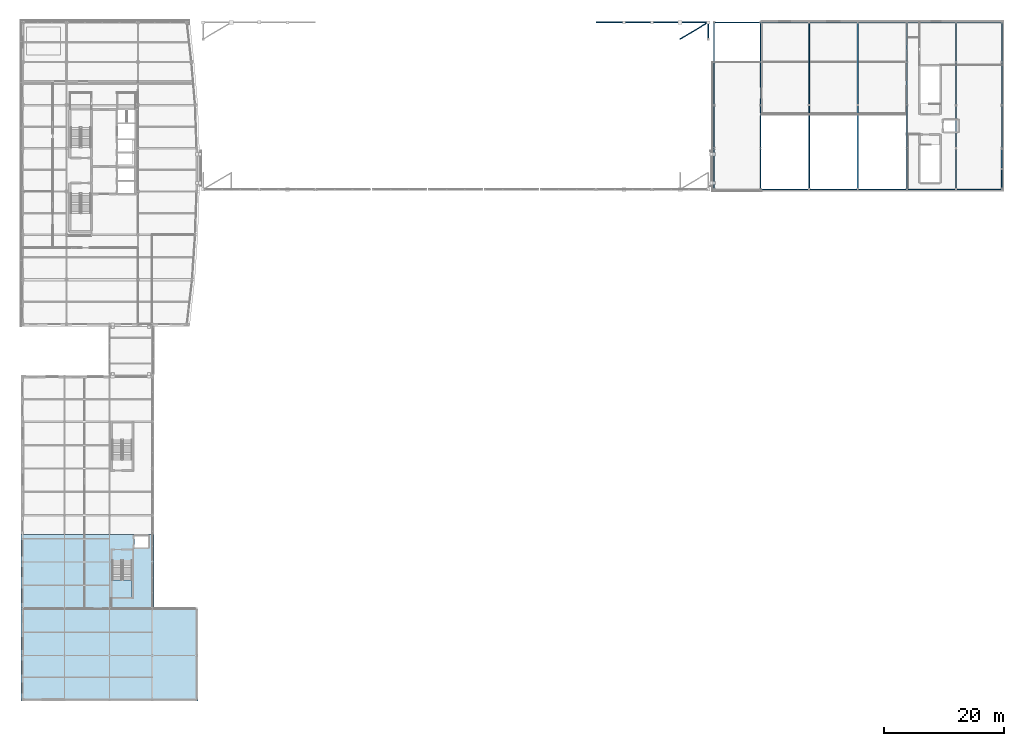
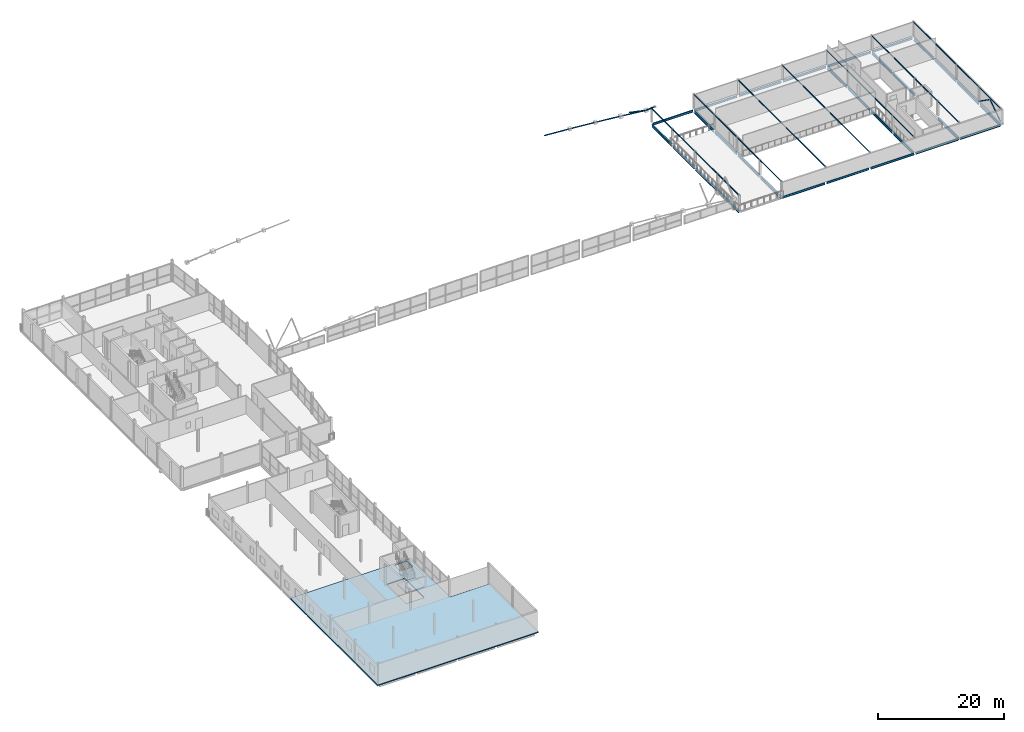
# One storey, part 41 of 60: 31 beams, 21 members, 2 slabs, 1 element without a shape of its own.
"""IFC4 building model written with IfcOpenShell, lengths in metres."""

from ifc_helpers import new_model, si_unit, direction, frame, origin, origin_2d, place, context, subcontext, project, spatial, polyline, hollow_rectangle, hollow_circle, i_section, outline, extrude, material, layer, layer_set, material_profile, profile_set, type_object, element, aggregate, save


model = new_model("IFC4")

# Units and contexts
model_context = context("Model", 3, precision=1e-05, world=origin(), true_north=direction((0.0, 1.0)))
body_context = subcontext(model_context, "Body", "Model", "MODEL_VIEW")
ifc_project = project(units=[si_unit("LENGTHUNIT", "METRE"), si_unit("AREAUNIT", "SQUARE_METRE"), si_unit("VOLUMEUNIT", "CUBIC_METRE"), si_unit("PLANEANGLEUNIT", "RADIAN"), si_unit("MASSUNIT", "GRAM", prefix="KILO")], contexts=[model_context])

# Site, building, storey
site_placement = place(None, origin())
site = spatial("IfcSite", under=ifc_project, at=site_placement, CompositionType="ELEMENT")
building_placement = place(site_placement, origin())
building = spatial("IfcBuilding", under=site, at=building_placement, Name="Quillay Park Conservatory", CompositionType="ELEMENT")
storey_placement = place(building_placement, frame((0.0, 0.0, 9.89990234375)))
storey = spatial("IfcBuildingStorey", under=building, at=storey_placement, Name="L02", CompositionType="ELEMENT", Elevation=9.89990234375)

# Members
ifc_material_1 = material(Name="Steel S355J2H", Category="steel")
ifc_material_profile_1 = material_profile(ifc_material_1, hollow_rectangle(XDim=0.1201171875, YDim=0.199951171875, WallThickness=0.008056640625, InnerFilletRadius=0.008056640625, OuterFilletRadius=0.01611328125, at=origin_2d()), Name="RHS200x120x8")
ifc_profile_set_1 = profile_set([ifc_material_profile_1], Name="Steel S355J2H")
member_type_1 = type_object("IfcMemberType", Name="FOLDED ROOF TRUSS CHORD RHS200", PredefinedType="CHORD", material=ifc_profile_set_1)
member_1_placement = place(storey_placement, frame((115.85009765625, 85.550048828125, 2.7001953125), z_axis=(0.0, 1.0, 0.0), x_axis=(-1.0, 0.0, 0.0)))
element("IfcMember", 1, at=member_1_placement, inside=storey, type_object=member_type_1, Name="Gridshell member AUD-CHD-S1", PredefinedType="CHORD", context=body_context, shape_type="SweptSolid", body=[
    extrude(hollow_rectangle(XDim=0.1201171875, YDim=0.199951171875, WallThickness=0.008056640625, InnerFilletRadius=0.008056640625, OuterFilletRadius=0.01611328125, at=origin_2d()), origin(), (0.0, 0.0, 1.0), 14.050048828125),
])
member_2_placement = place(storey_placement, frame((115.85009765625, 99.60009765625, 2.7001953125), z_axis=(0.0, 1.0, 0.0), x_axis=(-1.0, 0.0, 0.0)))
element("IfcMember", 2, at=member_2_placement, inside=storey, type_object=member_type_1, Name="Gridshell member AUD-CHD-N1", PredefinedType="CHORD", context=body_context, shape_type="SweptSolid", body=[
    extrude(hollow_rectangle(XDim=0.1201171875, YDim=0.199951171875, WallThickness=0.008056640625, InnerFilletRadius=0.008056640625, OuterFilletRadius=0.01611328125, at=origin_2d()), origin(), (0.0, 0.0, 1.0), 13.7998046875),
])
member_3_placement = place(storey_placement, frame((123.60009765625, 85.550048828125, 2.7001953125), z_axis=(0.0, 1.0, 0.0), x_axis=(-1.0, 0.0, 0.0)))
element("IfcMember", 3, at=member_3_placement, inside=storey, type_object=member_type_1, Name="Gridshell member AUD-CHD-S2", PredefinedType="CHORD", context=body_context, shape_type="SweptSolid", body=[
    extrude(hollow_rectangle(XDim=0.1201171875, YDim=0.199951171875, WallThickness=0.008056640625, InnerFilletRadius=0.008056640625, OuterFilletRadius=0.01611328125, at=origin_2d()), origin(), (0.0, 0.0, 1.0), 14.050048828125),
])
member_4_placement = place(storey_placement, frame((123.60009765625, 99.60009765625, 2.7001953125), z_axis=(0.0, 1.0, 0.0), x_axis=(-1.0, 0.0, 0.0)))
element("IfcMember", 4, at=member_4_placement, inside=storey, type_object=member_type_1, Name="Gridshell member AUD-CHD-N2", PredefinedType="CHORD", context=body_context, shape_type="SweptSolid", body=[
    extrude(hollow_rectangle(XDim=0.1201171875, YDim=0.199951171875, WallThickness=0.008056640625, InnerFilletRadius=0.008056640625, OuterFilletRadius=0.01611328125, at=origin_2d()), origin(), (0.0, 0.0, 1.0), 13.7998046875),
])
member_5_placement = place(storey_placement, frame((131.699951171875, 85.550048828125, 2.7001953125), z_axis=(0.0, 1.0, 0.0), x_axis=(-1.0, 0.0, 0.0)))
element("IfcMember", 5, at=member_5_placement, inside=storey, type_object=member_type_1, Name="Gridshell member AUD-CHD-S3", PredefinedType="CHORD", context=body_context, shape_type="SweptSolid", body=[
    extrude(hollow_rectangle(XDim=0.1201171875, YDim=0.199951171875, WallThickness=0.008056640625, InnerFilletRadius=0.008056640625, OuterFilletRadius=0.01611328125, at=origin_2d()), origin(), (0.0, 0.0, 1.0), 14.050048828125),
])
member_6_placement = place(storey_placement, frame((131.699951171875, 99.60009765625, 2.7001953125), z_axis=(0.0, 1.0, 0.0), x_axis=(-1.0, 0.0, 0.0)))
element("IfcMember", 6, at=member_6_placement, inside=storey, type_object=member_type_1, Name="Gridshell member AUD-CHD-N3", PredefinedType="CHORD", context=body_context, shape_type="SweptSolid", body=[
    extrude(hollow_rectangle(XDim=0.1201171875, YDim=0.199951171875, WallThickness=0.008056640625, InnerFilletRadius=0.008056640625, OuterFilletRadius=0.01611328125, at=origin_2d()), origin(), (0.0, 0.0, 1.0), 13.7998046875),
])
member_7_placement = place(storey_placement, frame((139.800048828125, 85.550048828125, 2.7001953125), z_axis=(0.0, 1.0, 0.0), x_axis=(-1.0, 0.0, 0.0)))
element("IfcMember", 7, at=member_7_placement, inside=storey, type_object=member_type_1, Name="Gridshell member AUD-CHD-S4", PredefinedType="CHORD", context=body_context, shape_type="SweptSolid", body=[
    extrude(hollow_rectangle(XDim=0.1201171875, YDim=0.199951171875, WallThickness=0.008056640625, InnerFilletRadius=0.008056640625, OuterFilletRadius=0.01611328125, at=origin_2d()), origin(), (0.0, 0.0, 1.0), 14.050048828125),
])
member_8_placement = place(storey_placement, frame((139.800048828125, 99.60009765625, 2.7001953125), z_axis=(0.0, 1.0, 0.0), x_axis=(-1.0, 0.0, 0.0)))
element("IfcMember", 8, at=member_8_placement, inside=storey, type_object=member_type_1, Name="Gridshell member AUD-CHD-N4", PredefinedType="CHORD", context=body_context, shape_type="SweptSolid", body=[
    extrude(hollow_rectangle(XDim=0.1201171875, YDim=0.199951171875, WallThickness=0.008056640625, InnerFilletRadius=0.008056640625, OuterFilletRadius=0.01611328125, at=origin_2d()), origin(), (0.0, 0.0, 1.0), 13.7998046875),
])
member_9_placement = place(storey_placement, frame((148.0, 85.550048828125, 2.7001953125), z_axis=(0.0, 1.0, 0.0), x_axis=(-1.0, 0.0, 0.0)))
element("IfcMember", 9, at=member_9_placement, inside=storey, type_object=member_type_1, Name="Gridshell member AUD-CHD-S5", PredefinedType="CHORD", context=body_context, shape_type="SweptSolid", body=[
    extrude(hollow_rectangle(XDim=0.1201171875, YDim=0.199951171875, WallThickness=0.008056640625, InnerFilletRadius=0.008056640625, OuterFilletRadius=0.01611328125, at=origin_2d()), origin(), (0.0, 0.0, 1.0), 14.050048828125),
])
member_10_placement = place(storey_placement, frame((148.0, 99.60009765625, 2.7001953125), z_axis=(0.0, 1.0, 0.0), x_axis=(-1.0, 0.0, 0.0)))
element("IfcMember", 10, at=member_10_placement, inside=storey, type_object=member_type_1, Name="Gridshell member AUD-CHD-N5", PredefinedType="CHORD", context=body_context, shape_type="SweptSolid", body=[
    extrude(hollow_rectangle(XDim=0.1201171875, YDim=0.199951171875, WallThickness=0.008056640625, InnerFilletRadius=0.008056640625, OuterFilletRadius=0.01611328125, at=origin_2d()), origin(), (0.0, 0.0, 1.0), 13.7998046875),
])
member_11_placement = place(storey_placement, frame((156.199951171875, 85.550048828125, 2.7001953125), z_axis=(0.0, 1.0, 0.0), x_axis=(-1.0, 0.0, 0.0)))
element("IfcMember", 11, at=member_11_placement, inside=storey, type_object=member_type_1, Name="Gridshell member AUD-CHD-S6", PredefinedType="CHORD", context=body_context, shape_type="SweptSolid", body=[
    extrude(hollow_rectangle(XDim=0.1201171875, YDim=0.199951171875, WallThickness=0.008056640625, InnerFilletRadius=0.008056640625, OuterFilletRadius=0.01611328125, at=origin_2d()), origin(), (0.0, 0.0, 1.0), 14.050048828125),
])
member_12_placement = place(storey_placement, frame((156.199951171875, 99.60009765625, 2.7001953125), z_axis=(0.0, 1.0, 0.0), x_axis=(-1.0, 0.0, 0.0)))
element("IfcMember", 12, at=member_12_placement, inside=storey, type_object=member_type_1, Name="Gridshell member AUD-CHD-N6", PredefinedType="CHORD", context=body_context, shape_type="SweptSolid", body=[
    extrude(hollow_rectangle(XDim=0.1201171875, YDim=0.199951171875, WallThickness=0.008056640625, InnerFilletRadius=0.008056640625, OuterFilletRadius=0.01611328125, at=origin_2d()), origin(), (0.0, 0.0, 1.0), 13.7998046875),
])
member_13_placement = place(storey_placement, frame((163.85009765625, 85.550048828125, 2.7001953125), z_axis=(0.0, 1.0, 0.0), x_axis=(-1.0, 0.0, 0.0)))
element("IfcMember", 13, at=member_13_placement, inside=storey, type_object=member_type_1, Name="Gridshell member AUD-CHD-S7", PredefinedType="CHORD", context=body_context, shape_type="SweptSolid", body=[
    extrude(hollow_rectangle(XDim=0.1201171875, YDim=0.199951171875, WallThickness=0.008056640625, InnerFilletRadius=0.008056640625, OuterFilletRadius=0.01611328125, at=origin_2d()), origin(), (0.0, 0.0, 1.0), 14.050048828125),
])
member_14_placement = place(storey_placement, frame((163.85009765625, 99.60009765625, 2.7001953125), z_axis=(0.0, 1.0, 0.0), x_axis=(-1.0, 0.0, 0.0)))
element("IfcMember", 14, at=member_14_placement, inside=storey, type_object=member_type_1, Name="Gridshell member AUD-CHD-N7", PredefinedType="CHORD", context=body_context, shape_type="SweptSolid", body=[
    extrude(hollow_rectangle(XDim=0.1201171875, YDim=0.199951171875, WallThickness=0.008056640625, InnerFilletRadius=0.008056640625, OuterFilletRadius=0.01611328125, at=origin_2d()), origin(), (0.0, 0.0, 1.0), 13.7998046875),
])

# Beam
ifc_material_2 = material(Name="Steel S355J2H", Category="steel")
ifc_material_profile_2 = material_profile(ifc_material_2, hollow_circle(Radius=0.136474609375, WallThickness=0.012451171875, at=origin_2d()), Name="CHS273x12.5")
ifc_profile_set_2 = profile_set([ifc_material_profile_2], Name="Steel S355J2H")
beam_type_1 = type_object("IfcBeamType", Name="GRIDSHELL ARCH BEAM CHS273", PredefinedType="USERDEFINED", material=ifc_profile_set_2)
beam_1_placement = place(storey_placement, frame((114.85009765625, 110.614990234375, 5.106689453125), z_axis=(0.0, 0.757200503095, -0.653182515162), x_axis=(-1.0, 0.0, 0.0)))
element("IfcBeam", 15, at=beam_1_placement, inside=storey, type_object=beam_type_1, Name="Gridshell member GS-ARCH-18-09", ObjectType="GRIDSHELL ARCH BEAM", PredefinedType="USERDEFINED", context=body_context, shape_type="SweptSolid", body=[
    extrude(hollow_circle(Radius=0.136474609375, WallThickness=0.012451171875, at=origin_2d()), origin(), (0.0, 0.0, 1.0), 3.677978515625),
])

# Members
ifc_material_3 = material(Name="Steel S355J2H", Category="steel")
ifc_material_profile_3 = material_profile(ifc_material_3, hollow_circle(Radius=0.109619140625, WallThickness=0.010009765625, at=origin_2d()), Name="CHS219.1x10")
ifc_profile_set_3 = profile_set([ifc_material_profile_3], Name="Steel S355J2H")
member_type_2 = type_object("IfcMemberType", Name="GRIDSHELL ARCH RIB CHS219", PredefinedType="USERDEFINED", material=ifc_profile_set_3)
member_15_placement = place(storey_placement, frame((96.138916015625, 113.39990234375, 4.337158203125), z_axis=(0.997663732084, 0.0, -0.068316013387), x_axis=(0.0, 1.0, 0.0)))
element("IfcMember", 16, at=member_15_placement, inside=storey, type_object=member_type_2, Name="Gridshell member GS-RIB-14-10", ObjectType="GRIDSHELL ARCH RIB", PredefinedType="USERDEFINED", context=body_context, shape_type="SweptSolid", body=[
    extrude(hollow_circle(Radius=0.109619140625, WallThickness=0.010009765625, at=origin_2d()), origin(), (0.0, 0.0, 1.0), 4.688720703125),
])
member_16_placement = place(storey_placement, frame((100.816650390625, 113.39990234375, 4.016845703125), z_axis=(0.996735387311, 0.0, -0.080737647239), x_axis=(0.0, 1.0, 0.0)))
element("IfcMember", 17, at=member_16_placement, inside=storey, type_object=member_type_2, Name="Gridshell member GS-RIB-15-10", ObjectType="GRIDSHELL ARCH RIB", PredefinedType="USERDEFINED", context=body_context, shape_type="SweptSolid", body=[
    extrude(hollow_circle(Radius=0.109619140625, WallThickness=0.010009765625, at=origin_2d()), origin(), (0.0, 0.0, 1.0), 4.693115234375),
])
member_17_placement = place(storey_placement, frame((105.494384765625, 113.39990234375, 3.637939453125), z_axis=(0.995654726514, 0.0, -0.093121778179), x_axis=(0.0, 1.0, 0.0)))
element("IfcMember", 18, at=member_17_placement, inside=storey, type_object=member_type_2, Name="Gridshell member GS-RIB-16-10", ObjectType="GRIDSHELL ARCH RIB", PredefinedType="USERDEFINED", context=body_context, shape_type="SweptSolid", body=[
    extrude(hollow_circle(Radius=0.109619140625, WallThickness=0.010009765625, at=origin_2d()), origin(), (0.0, 0.0, 1.0), 4.6982421875),
])
member_18_placement = place(storey_placement, frame((110.172119140625, 113.39990234375, 3.200439453125), z_axis=(0.994423821707, 0.0, -0.105457398137), x_axis=(0.0, 1.0, 0.0)))
element("IfcMember", 19, at=member_18_placement, inside=storey, type_object=member_type_2, Name="Gridshell member GS-RIB-17-10", ObjectType="GRIDSHELL ARCH RIB", PredefinedType="USERDEFINED", context=body_context, shape_type="SweptSolid", body=[
    extrude(hollow_circle(Radius=0.109619140625, WallThickness=0.010009765625, at=origin_2d()), origin(), (0.0, 0.0, 1.0), 4.7041015625),
])
ifc_material_4 = material(Name="Steel S355J2H", Category="steel")
ifc_material_profile_4 = material_profile(ifc_material_4, hollow_circle(Radius=0.06982421875, WallThickness=0.00634765625, at=origin_2d()), Name="CHS139.7x6.3")
ifc_profile_set_4 = profile_set([ifc_material_profile_4], Name="Steel S355J2H")
member_type_3 = type_object("IfcMemberType", Name="GRIDSHELL DIAGRID BRACE CHS140", PredefinedType="BRACE", material=ifc_profile_set_4)
member_19_placement = place(storey_placement, frame((110.172119140625, 110.614990234375, 5.602783203125), z_axis=(0.758467654434, 0.451533872665, -0.469940399428), x_axis=(-0.511538257491, 0.85926050248, 0.0)))
element("IfcMember", 20, at=member_19_placement, inside=storey, type_object=member_type_3, Name="Gridshell member GS-DIAG-17-09", PredefinedType="BRACE", context=body_context, shape_type="SweptSolid", body=[
    extrude(hollow_circle(Radius=0.06982421875, WallThickness=0.00634765625, at=origin_2d()), origin(), (0.0, 0.0, 1.0), 6.167724609375),
])

# Beams
ifc_material_5 = material(Name="Steel ASTM A992 Grade 50", Category="steel")
ifc_material_profile_5 = material_profile(ifc_material_5, i_section(OverallWidth=0.179931640625, OverallDepth=0.4130859375, WebThickness=0.009765625, FlangeThickness=0.01611328125, FilletRadius=0.011962890625, at=origin_2d()), Name="W410x74")
ifc_profile_set_5 = profile_set([ifc_material_profile_5], Name="Steel ASTM A992 Grade 50")
beam_type_2 = type_object("IfcBeamType", Name="PERIMETER SPANDREL BEAM W410 X74", PredefinedType="SPANDREL", material=ifc_profile_set_5)
for number, where, z_axis, x_axis, name in (
    (21, (123.7548828125, 85.550048828125, -0.426513671875), (1.0, 0.0, 0.0), (0.0, 1.0, 0.0), "L02 beam BM-V2P-1731"),
    (22, (131.85498046875, 85.550048828125, -0.426513671875), (1.0, 0.0, 0.0), (0.0, 1.0, 0.0), "L02 beam BM-V2P-1732"),
):
    element("IfcBeam", number, at=place(storey_placement, frame(where, z_axis=z_axis, x_axis=x_axis)), inside=storey, type_object=beam_type_2, Name=name, PredefinedType="SPANDREL", context=body_context, shape_type="SweptSolid", body=[
        extrude(i_section(OverallWidth=0.179931640625, OverallDepth=0.4130859375, WebThickness=0.009765625, FlangeThickness=0.01611328125, FilletRadius=0.011962890625, at=origin_2d()), origin(), (0.0, 0.0, 1.0), 7.7900390625),
    ])
for number, where, z_axis, x_axis, name in (
    (23, (139.955078125, 85.550048828125, -0.426513671875), (1.0, 0.0, 0.0), (0.0, 1.0, 0.0), "L02 beam BM-V2P-1733"),
    (24, (148.155029296875, 85.550048828125, -0.426513671875), (1.0, 0.0, 0.0), (0.0, 1.0, 0.0), "L02 beam BM-V2P-1734"),
):
    element("IfcBeam", number, at=place(storey_placement, frame(where, z_axis=z_axis, x_axis=x_axis)), inside=storey, type_object=beam_type_2, Name=name, PredefinedType="SPANDREL", context=body_context, shape_type="SweptSolid", body=[
        extrude(i_section(OverallWidth=0.179931640625, OverallDepth=0.4130859375, WebThickness=0.009765625, FlangeThickness=0.01611328125, FilletRadius=0.011962890625, at=origin_2d()), origin(), (0.0, 0.0, 1.0), 7.889892578125),
    ])
beam_2_placement = place(storey_placement, frame((156.35498046875, 85.550048828125, -0.426513671875), z_axis=(1.0, 0.0, 0.0), x_axis=(0.0, 1.0, 0.0)))
element("IfcBeam", 25, at=beam_2_placement, inside=storey, type_object=beam_type_2, Name="L02 beam BM-V2P-1735", PredefinedType="SPANDREL", context=body_context, shape_type="SweptSolid", body=[
    extrude(i_section(OverallWidth=0.179931640625, OverallDepth=0.4130859375, WebThickness=0.009765625, FlangeThickness=0.01611328125, FilletRadius=0.011962890625, at=origin_2d()), origin(), (0.0, 0.0, 1.0), 7.340087890625),
])
beam_3_placement = place(storey_placement, frame((116.0048828125, 113.39990234375, -0.426513671875), z_axis=(1.0, 0.0, 0.0), x_axis=(0.0, 1.0, 0.0)))
element("IfcBeam", 26, at=beam_3_placement, inside=storey, type_object=beam_type_2, Name="L02 beam BM-V2P-1736", PredefinedType="SPANDREL", context=body_context, shape_type="SweptSolid", body=[
    extrude(i_section(OverallWidth=0.179931640625, OverallDepth=0.4130859375, WebThickness=0.009765625, FlangeThickness=0.01611328125, FilletRadius=0.011962890625, at=origin_2d()), origin(), (0.0, 0.0, 1.0), 7.440185546875),
])
for number, where, z_axis, x_axis, name in (
    (27, (123.7548828125, 113.39990234375, -0.426513671875), (1.0, 0.0, 0.0), (0.0, 1.0, 0.0), "L02 beam BM-V2P-1737"),
    (28, (131.85498046875, 113.39990234375, -0.426513671875), (1.0, 0.0, 0.0), (0.0, 1.0, 0.0), "L02 beam BM-V2P-1738"),
):
    element("IfcBeam", number, at=place(storey_placement, frame(where, z_axis=z_axis, x_axis=x_axis)), inside=storey, type_object=beam_type_2, Name=name, PredefinedType="SPANDREL", context=body_context, shape_type="SweptSolid", body=[
        extrude(i_section(OverallWidth=0.179931640625, OverallDepth=0.4130859375, WebThickness=0.009765625, FlangeThickness=0.01611328125, FilletRadius=0.011962890625, at=origin_2d()), origin(), (0.0, 0.0, 1.0), 7.7900390625),
    ])
for number, where, z_axis, x_axis, name in (
    (29, (139.955078125, 113.39990234375, -0.426513671875), (1.0, 0.0, 0.0), (0.0, 1.0, 0.0), "L02 beam BM-V2P-1739"),
    (30, (148.155029296875, 113.39990234375, -0.426513671875), (1.0, 0.0, 0.0), (0.0, 1.0, 0.0), "L02 beam BM-V2P-1740"),
):
    element("IfcBeam", number, at=place(storey_placement, frame(where, z_axis=z_axis, x_axis=x_axis)), inside=storey, type_object=beam_type_2, Name=name, PredefinedType="SPANDREL", context=body_context, shape_type="SweptSolid", body=[
        extrude(i_section(OverallWidth=0.179931640625, OverallDepth=0.4130859375, WebThickness=0.009765625, FlangeThickness=0.01611328125, FilletRadius=0.011962890625, at=origin_2d()), origin(), (0.0, 0.0, 1.0), 7.889892578125),
    ])
beam_4_placement = place(storey_placement, frame((156.35498046875, 113.39990234375, -0.426513671875), z_axis=(1.0, 0.0, 0.0), x_axis=(0.0, 1.0, 0.0)))
element("IfcBeam", 31, at=beam_4_placement, inside=storey, type_object=beam_type_2, Name="L02 beam BM-V2P-1741", PredefinedType="SPANDREL", context=body_context, shape_type="SweptSolid", body=[
    extrude(i_section(OverallWidth=0.179931640625, OverallDepth=0.4130859375, WebThickness=0.009765625, FlangeThickness=0.01611328125, FilletRadius=0.011962890625, at=origin_2d()), origin(), (0.0, 0.0, 1.0), 7.340087890625),
])
ifc_material_6 = material(Name="Steel ASTM A992 Grade 50", Category="steel")
ifc_material_profile_6 = material_profile(ifc_material_6, i_section(OverallWidth=0.2109375, OverallDepth=0.5390625, WebThickness=0.01171875, FlangeThickness=0.018798828125, FilletRadius=0.013916015625, at=origin_2d()), Name="W530x109")
ifc_profile_set_6 = profile_set([ifc_material_profile_6], Name="Steel ASTM A992 Grade 50")
beam_type_3 = type_object("IfcBeamType", Name="PRIMARY FLOOR GIRDER W530 X109", PredefinedType="BEAM", material=ifc_profile_set_6)
beam_5_placement = place(storey_placement, frame((115.85009765625, 85.705078125, -0.489501953125), z_axis=(0.0, 1.0, 0.0), x_axis=(-1.0, 0.0, 0.0)))
element("IfcBeam", 32, at=beam_5_placement, inside=storey, type_object=beam_type_3, Name="L02 beam BM-V2Y-1742", PredefinedType="BEAM", context=body_context, shape_type="SweptSolid", body=[
    extrude(i_section(OverallWidth=0.2109375, OverallDepth=0.5390625, WebThickness=0.01171875, FlangeThickness=0.018798828125, FilletRadius=0.013916015625, at=origin_2d()), origin(), (0.0, 0.0, 1.0), 6.5400390625),
])
for number, where, z_axis, x_axis, name in (
    (33, (115.85009765625, 92.554931640625, -0.489501953125), (0.0, 1.0, 0.0), (-1.0, 0.0, 0.0), "L02 beam BM-V2Y-1743"),
    (34, (115.85009765625, 99.7548828125, -0.489501953125), (0.0, 1.0, 0.0), (-1.0, 0.0, 0.0), "L02 beam BM-V2Y-1744"),
):
    element("IfcBeam", number, at=place(storey_placement, frame(where, z_axis=z_axis, x_axis=x_axis)), inside=storey, type_object=beam_type_3, Name=name, PredefinedType="BEAM", context=body_context, shape_type="SweptSolid", body=[
        extrude(i_section(OverallWidth=0.2109375, OverallDepth=0.5390625, WebThickness=0.01171875, FlangeThickness=0.018798828125, FilletRadius=0.013916015625, at=origin_2d()), origin(), (0.0, 0.0, 1.0), 6.89013671875),
    ])
beam_6_placement = place(storey_placement, frame((115.85009765625, 106.955078125, -0.489501953125), z_axis=(0.0, 1.0, 0.0), x_axis=(-1.0, 0.0, 0.0)))
element("IfcBeam", 35, at=beam_6_placement, inside=storey, type_object=beam_type_3, Name="L02 beam BM-V2Y-1745", PredefinedType="BEAM", context=body_context, shape_type="SweptSolid", body=[
    extrude(i_section(OverallWidth=0.2109375, OverallDepth=0.5390625, WebThickness=0.01171875, FlangeThickness=0.018798828125, FilletRadius=0.013916015625, at=origin_2d()), origin(), (0.0, 0.0, 1.0), 6.2900390625),
])
beam_7_placement = place(storey_placement, frame((123.60009765625, 85.705078125, -0.489501953125), z_axis=(0.0, 1.0, 0.0), x_axis=(-1.0, 0.0, 0.0)))
element("IfcBeam", 36, at=beam_7_placement, inside=storey, type_object=beam_type_3, Name="L02 beam BM-V2Y-1746", PredefinedType="BEAM", context=body_context, shape_type="SweptSolid", body=[
    extrude(i_section(OverallWidth=0.2109375, OverallDepth=0.5390625, WebThickness=0.01171875, FlangeThickness=0.018798828125, FilletRadius=0.013916015625, at=origin_2d()), origin(), (0.0, 0.0, 1.0), 6.5400390625),
])
for number, where, z_axis, x_axis, name in (
    (37, (123.60009765625, 92.554931640625, -0.489501953125), (0.0, 1.0, 0.0), (-1.0, 0.0, 0.0), "L02 beam BM-V2Y-1747"),
    (38, (123.60009765625, 99.7548828125, -0.489501953125), (0.0, 1.0, 0.0), (-1.0, 0.0, 0.0), "L02 beam BM-V2Y-1748"),
):
    element("IfcBeam", number, at=place(storey_placement, frame(where, z_axis=z_axis, x_axis=x_axis)), inside=storey, type_object=beam_type_3, Name=name, PredefinedType="BEAM", context=body_context, shape_type="SweptSolid", body=[
        extrude(i_section(OverallWidth=0.2109375, OverallDepth=0.5390625, WebThickness=0.01171875, FlangeThickness=0.018798828125, FilletRadius=0.013916015625, at=origin_2d()), origin(), (0.0, 0.0, 1.0), 6.89013671875),
    ])
beam_8_placement = place(storey_placement, frame((123.60009765625, 106.955078125, -0.489501953125), z_axis=(0.0, 1.0, 0.0), x_axis=(-1.0, 0.0, 0.0)))
element("IfcBeam", 39, at=beam_8_placement, inside=storey, type_object=beam_type_3, Name="L02 beam BM-V2Y-1749", PredefinedType="BEAM", context=body_context, shape_type="SweptSolid", body=[
    extrude(i_section(OverallWidth=0.2109375, OverallDepth=0.5390625, WebThickness=0.01171875, FlangeThickness=0.018798828125, FilletRadius=0.013916015625, at=origin_2d()), origin(), (0.0, 0.0, 1.0), 6.2900390625),
])
beam_9_placement = place(storey_placement, frame((148.0, 85.705078125, -0.489501953125), z_axis=(0.0, 1.0, 0.0), x_axis=(-1.0, 0.0, 0.0)))
element("IfcBeam", 40, at=beam_9_placement, inside=storey, type_object=beam_type_3, Name="L02 beam BM-V2Y-1750", PredefinedType="BEAM", context=body_context, shape_type="SweptSolid", body=[
    extrude(i_section(OverallWidth=0.2109375, OverallDepth=0.5390625, WebThickness=0.01171875, FlangeThickness=0.018798828125, FilletRadius=0.013916015625, at=origin_2d()), origin(), (0.0, 0.0, 1.0), 6.5400390625),
])
for number, where, z_axis, x_axis, name in (
    (41, (148.0, 92.554931640625, -0.489501953125), (0.0, 1.0, 0.0), (-1.0, 0.0, 0.0), "L02 beam BM-V2Y-1751"),
    (42, (148.0, 99.7548828125, -0.489501953125), (0.0, 1.0, 0.0), (-1.0, 0.0, 0.0), "L02 beam BM-V2Y-1752"),
):
    element("IfcBeam", number, at=place(storey_placement, frame(where, z_axis=z_axis, x_axis=x_axis)), inside=storey, type_object=beam_type_3, Name=name, PredefinedType="BEAM", context=body_context, shape_type="SweptSolid", body=[
        extrude(i_section(OverallWidth=0.2109375, OverallDepth=0.5390625, WebThickness=0.01171875, FlangeThickness=0.018798828125, FilletRadius=0.013916015625, at=origin_2d()), origin(), (0.0, 0.0, 1.0), 6.89013671875),
    ])
beam_10_placement = place(storey_placement, frame((148.0, 106.955078125, -0.489501953125), z_axis=(0.0, 1.0, 0.0), x_axis=(-1.0, 0.0, 0.0)))
element("IfcBeam", 43, at=beam_10_placement, inside=storey, type_object=beam_type_3, Name="L02 beam BM-V2Y-1753", PredefinedType="BEAM", context=body_context, shape_type="SweptSolid", body=[
    extrude(i_section(OverallWidth=0.2109375, OverallDepth=0.5390625, WebThickness=0.01171875, FlangeThickness=0.018798828125, FilletRadius=0.013916015625, at=origin_2d()), origin(), (0.0, 0.0, 1.0), 6.2900390625),
])
beam_11_placement = place(storey_placement, frame((156.199951171875, 85.705078125, -0.489501953125), z_axis=(0.0, 1.0, 0.0), x_axis=(-1.0, 0.0, 0.0)))
element("IfcBeam", 44, at=beam_11_placement, inside=storey, type_object=beam_type_3, Name="L02 beam BM-V2Y-1754", PredefinedType="BEAM", context=body_context, shape_type="SweptSolid", body=[
    extrude(i_section(OverallWidth=0.2109375, OverallDepth=0.5390625, WebThickness=0.01171875, FlangeThickness=0.018798828125, FilletRadius=0.013916015625, at=origin_2d()), origin(), (0.0, 0.0, 1.0), 6.5400390625),
])
beam_12_placement = place(storey_placement, frame((156.199951171875, 99.7548828125, -0.489501953125), z_axis=(0.0, 1.0, 0.0), x_axis=(-1.0, 0.0, 0.0)))
element("IfcBeam", 45, at=beam_12_placement, inside=storey, type_object=beam_type_3, Name="L02 beam BM-V2Y-1755", PredefinedType="BEAM", context=body_context, shape_type="SweptSolid", body=[
    extrude(i_section(OverallWidth=0.2109375, OverallDepth=0.5390625, WebThickness=0.01171875, FlangeThickness=0.018798828125, FilletRadius=0.013916015625, at=origin_2d()), origin(), (0.0, 0.0, 1.0), 6.89013671875),
])
beam_13_placement = place(storey_placement, frame((156.199951171875, 106.955078125, -0.489501953125), z_axis=(0.0, 1.0, 0.0), x_axis=(-1.0, 0.0, 0.0)))
element("IfcBeam", 46, at=beam_13_placement, inside=storey, type_object=beam_type_3, Name="L02 beam BM-V2Y-1756", PredefinedType="BEAM", context=body_context, shape_type="SweptSolid", body=[
    extrude(i_section(OverallWidth=0.2109375, OverallDepth=0.5390625, WebThickness=0.01171875, FlangeThickness=0.018798828125, FilletRadius=0.013916015625, at=origin_2d()), origin(), (0.0, 0.0, 1.0), 6.2900390625),
])
beam_14_placement = place(storey_placement, frame((163.85009765625, 85.705078125, -0.489501953125), z_axis=(0.0, 1.0, 0.0), x_axis=(-1.0, 0.0, 0.0)))
element("IfcBeam", 47, at=beam_14_placement, inside=storey, type_object=beam_type_3, Name="L02 beam BM-V2Y-1757", PredefinedType="BEAM", context=body_context, shape_type="SweptSolid", body=[
    extrude(i_section(OverallWidth=0.2109375, OverallDepth=0.5390625, WebThickness=0.01171875, FlangeThickness=0.018798828125, FilletRadius=0.013916015625, at=origin_2d()), origin(), (0.0, 0.0, 1.0), 6.5400390625),
])
for number, where, z_axis, x_axis, name in (
    (48, (163.85009765625, 92.554931640625, -0.489501953125), (0.0, 1.0, 0.0), (-1.0, 0.0, 0.0), "L02 beam BM-V2Y-1758"),
    (49, (163.85009765625, 99.7548828125, -0.489501953125), (0.0, 1.0, 0.0), (-1.0, 0.0, 0.0), "L02 beam BM-V2Y-1759"),
):
    element("IfcBeam", number, at=place(storey_placement, frame(where, z_axis=z_axis, x_axis=x_axis)), inside=storey, type_object=beam_type_3, Name=name, PredefinedType="BEAM", context=body_context, shape_type="SweptSolid", body=[
        extrude(i_section(OverallWidth=0.2109375, OverallDepth=0.5390625, WebThickness=0.01171875, FlangeThickness=0.018798828125, FilletRadius=0.013916015625, at=origin_2d()), origin(), (0.0, 0.0, 1.0), 6.89013671875),
    ])
beam_15_placement = place(storey_placement, frame((163.85009765625, 106.955078125, -0.489501953125), z_axis=(0.0, 1.0, 0.0), x_axis=(-1.0, 0.0, 0.0)))
element("IfcBeam", 50, at=beam_15_placement, inside=storey, type_object=beam_type_3, Name="L02 beam BM-V2Y-1760", PredefinedType="BEAM", context=body_context, shape_type="SweptSolid", body=[
    extrude(i_section(OverallWidth=0.2109375, OverallDepth=0.5390625, WebThickness=0.01171875, FlangeThickness=0.018798828125, FilletRadius=0.013916015625, at=origin_2d()), origin(), (0.0, 0.0, 1.0), 6.2900390625),
])

# Members
ifc_material_7 = material(Name="Steel S355J2H", Category="steel")
ifc_material_profile_7 = material_profile(ifc_material_7, hollow_rectangle(XDim=0.179931640625, YDim=0.179931640625, WallThickness=0.010009765625, InnerFilletRadius=0.010009765625, OuterFilletRadius=0.02001953125, at=origin_2d()), Name="RHS180x180x10")
ifc_profile_set_7 = profile_set([ifc_material_profile_7], Name="Steel S355J2H")
member_type_4 = type_object("IfcMemberType", Name="SEISMIC FRAME BRACE RHS180", PredefinedType="BRACE", material=ifc_profile_set_7)
member_20_placement = place(storey_placement, frame((163.85009765625, 92.25, 0.150146484375), z_axis=(0.0, -0.818759237798, 0.574137013718), x_axis=(1.0, 0.0, 0.0)))
element("IfcMember", 51, at=member_20_placement, inside=storey, type_object=member_type_4, Name="Gridshell member BR-V2-L02-B", PredefinedType="BRACE", context=body_context, shape_type="SweptSolid", body=[
    extrude(hollow_rectangle(XDim=0.179931640625, YDim=0.179931640625, WallThickness=0.010009765625, InnerFilletRadius=0.010009765625, OuterFilletRadius=0.02001953125, at=origin_2d()), origin(), (0.0, 0.0, 1.0), 4.006103515625),
])
ifc_material_8 = material(Name="Steel S355J2H", Category="steel")
ifc_material_profile_8 = material_profile(ifc_material_8, hollow_rectangle(XDim=0.14990234375, YDim=0.25, WallThickness=0.010009765625, InnerFilletRadius=0.010009765625, OuterFilletRadius=0.02001953125, at=origin_2d()), Name="RHS250x150x10")
ifc_profile_set_8 = profile_set([ifc_material_profile_8], Name="Steel S355J2H")
member_type_5 = type_object("IfcMemberType", Name="SEISMIC FRAME BRACE RHS250", PredefinedType="BRACE", material=ifc_profile_set_8)
member_21_placement = place(storey_placement, frame((163.85009765625, 85.699951171875, 0.150146484375), z_axis=(0.0, 0.817933071756, 0.575313384277), x_axis=(-1.0, 0.0, 0.0)))
element("IfcMember", 52, at=member_21_placement, inside=storey, type_object=member_type_5, Name="Gridshell member BR-V2-L02-A", PredefinedType="BRACE", context=body_context, shape_type="SweptSolid", body=[
    extrude(hollow_rectangle(XDim=0.14990234375, YDim=0.25, WallThickness=0.010009765625, InnerFilletRadius=0.010009765625, OuterFilletRadius=0.02001953125, at=origin_2d()), origin(), (0.0, 0.0, 1.0), 3.997802734375),
])

# Stair, slab
ifc_material_9 = material(Name="Concrete C35/45 (NCh170 Concrete C35/45)", Category="concrete")
stair_type = type_object("IfcStairType", Name="ENCLOSED DOG LEG STAIR 4200", PredefinedType="HALF_TURN_STAIR", material=ifc_material_9)
stair_placement = place(storey_placement, origin())
stair = element("IfcStair", 53, at=stair_placement, inside=storey, type_object=stair_type, Name="L02 Visitor Centre Exit Stair 1", PredefinedType="HALF_TURN_STAIR")
ifc_material_10 = material(Name="Concrete C35/45 (NCh170 Concrete C35/45)", Category="concrete")
ifc_layer_1 = layer(ifc_material_10, 0.199951171875)
ifc_layer_set_1 = layer_set([ifc_layer_1], Name="STAIR LANDING SLAB 200 (Concrete C35/45 (NCh170 Concrete C35/45))")
slab_type_1 = type_object("IfcSlabType", Name="STAIR LANDING SLAB 200", PredefinedType="LANDING", material=ifc_layer_set_1)
slab_1_placement = place(storey_placement, frame((0.0, 0.0, 1.900146484375)))
slab_1 = element("IfcSlab", 54, at=slab_1_placement, type_object=slab_type_1, Name="ST-V1 landing 1", PredefinedType="LANDING", context=body_context, shape_type="SweptSolid", body=[
    extrude(outline(polyline([(15.449951171875, 20.39990234375), (15.449951171875, 17.5), (18.77001953125, 17.5), (18.77001953125, 20.39990234375), (15.449951171875, 20.39990234375)])), origin(), (0.0, 0.0, 1.0), 0.199951171875),
])
aggregate(stair, [slab_1])

# Slab
ifc_material_11 = material(Name="Concrete C35/45 (NCh170 Concrete C35/45)", Category="concrete")
ifc_layer_2 = layer(ifc_material_11, 0.195068359375)
ifc_layer_set_2 = layer_set([ifc_layer_2], Name="SUSPENDED FLOOR SLAB 195 (Concrete C35/45 (NCh170 Concrete C35/45))")
slab_type_2 = type_object("IfcSlabType", Name="SUSPENDED FLOOR SLAB 195", PredefinedType="FLOOR", material=ifc_layer_set_2)
slab_2_placement = place(storey_placement, frame((0.0, 0.0, -0.19482421875)))
element("IfcSlab", 55, at=slab_2_placement, inside=storey, type_object=slab_type_2, Name="L02 slab SLB-V3-L02-S", PredefinedType="FLOOR", context=body_context, shape_type="SweptSolid", body=[
    extrude(outline(polyline([(0.25, 0.199951171875), (29.75, 0.199951171875), (29.75, 15.60009765625), (22.39990234375, 15.60009765625), (22.39990234375, 28.0), (0.25, 28.0), (0.25, 0.199951171875)]), holes=[polyline([(15.449951171875, 17.5), (18.77001953125, 17.5), (18.77001953125, 23.669921875), (15.449951171875, 23.669921875), (15.449951171875, 17.5)]), polyline([(19.14990234375, 25.800048828125), (21.449951171875, 25.800048828125), (21.449951171875, 27.699951171875), (19.14990234375, 27.699951171875), (19.14990234375, 25.800048828125)])]), origin(), (0.0, 0.0, 1.0), 0.19482421875),
])

save(model, "model.ifc")
